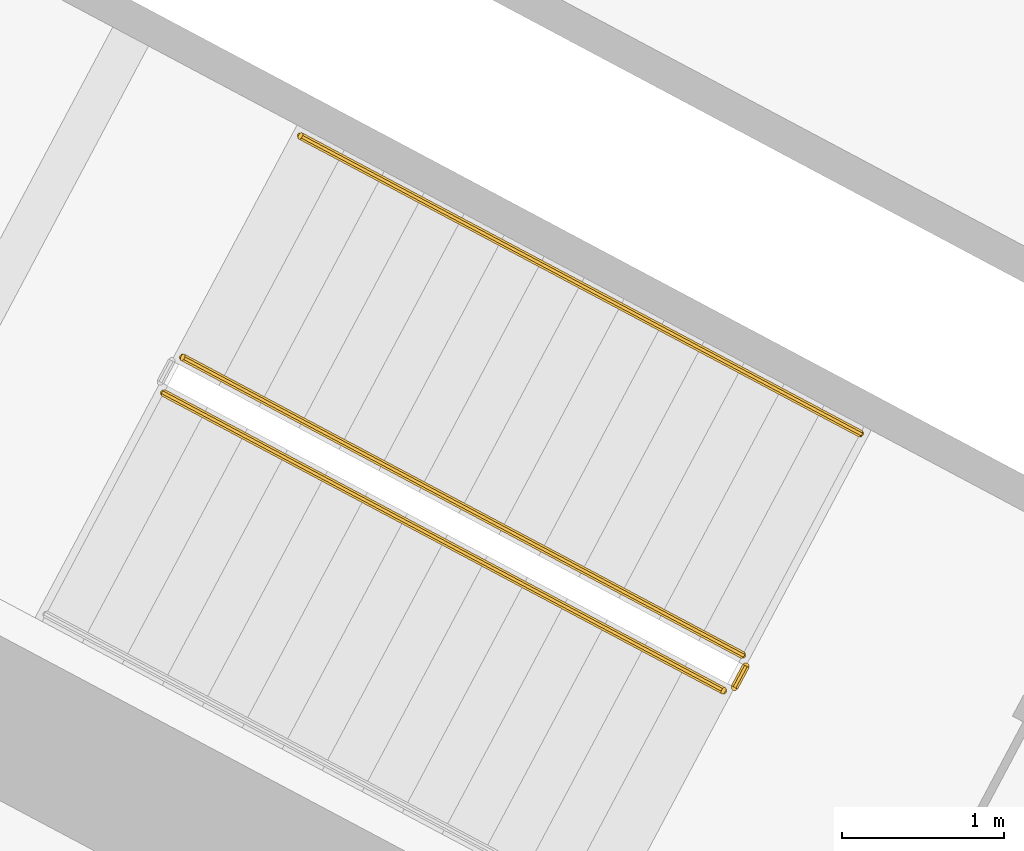
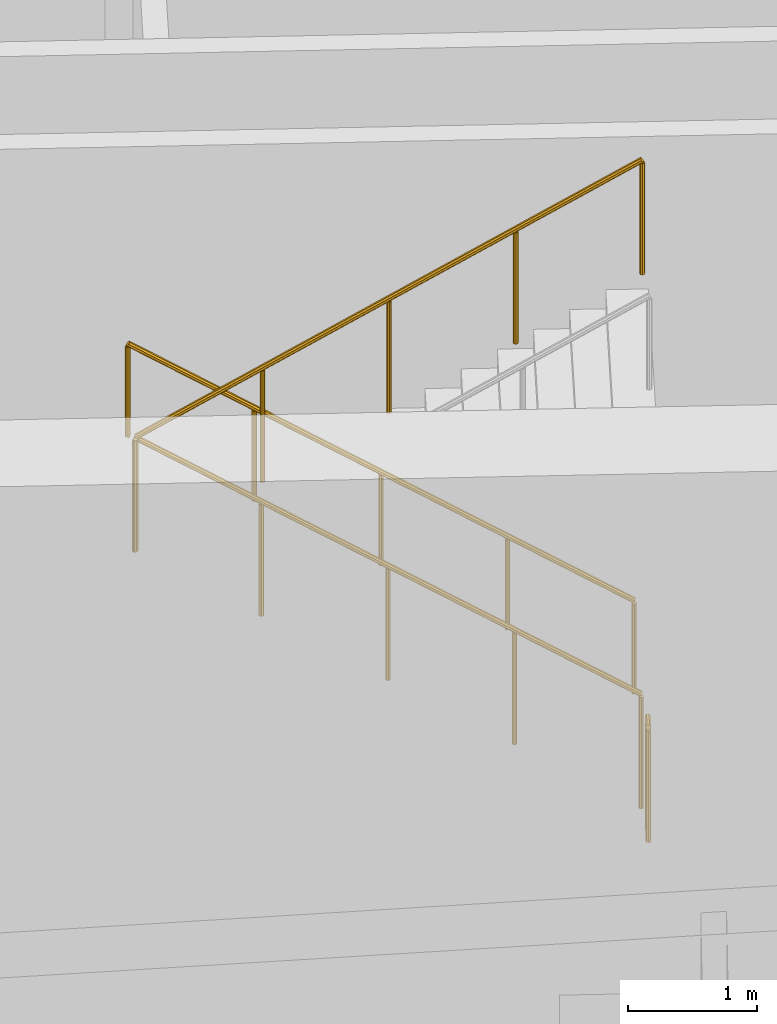
# One storey, part 23 of 31: 4 railings.
"""IFC4 building model written with IfcOpenShell, lengths in metres."""

from ifc_helpers import new_model, si_unit, direction, frame, origin, place, context, subcontext, project, spatial, polyline, outline, extrude, material, type_object, element, save


model = new_model("IFC4")

# Units and contexts
model_context = context("Model", 3, precision=1e-05, world=origin(), true_north=direction((0.0, 1.0)))
body_context = subcontext(model_context, "Body", "Model", "MODEL_VIEW")
ifc_project = project(units=[si_unit("LENGTHUNIT", "METRE"), si_unit("AREAUNIT", "SQUARE_METRE"), si_unit("VOLUMEUNIT", "CUBIC_METRE"), si_unit("PLANEANGLEUNIT", "RADIAN"), si_unit("MASSUNIT", "GRAM", prefix="KILO")], contexts=[model_context])

# Site, building, storey
site_placement = place(None, origin())
site = spatial("IfcSite", under=ifc_project, at=site_placement, CompositionType="ELEMENT")
building_placement = place(site_placement, origin())
building = spatial("IfcBuilding", under=site, at=building_placement, Name="Cormorant Relay Tower", CompositionType="ELEMENT")
storey_placement = place(building_placement, frame((0.0, 0.0, 33.800048828125)))
storey = spatial("IfcBuildingStorey", under=building, at=storey_placement, Name="L06", CompositionType="ELEMENT", Elevation=33.800048828125)

# Railings
ifc_material_1 = material(Name="Steel ASTM A572 Grade 50 (Fy 345 MPa)", Category="steel")
railing_type_1 = type_object("IfcRailingType", Name="Stair guard 1100", PredefinedType="GUARDRAIL", material=ifc_material_1)
railing_1_placement = place(storey_placement, frame((-33.9921875, 10.08935546875, 0.179931640625)))
element("IfcRailing", 1, at=railing_1_placement, inside=storey, type_object=railing_type_1, Name="L06 A2 stair guard 1", PredefinedType="GUARDRAIL", context=body_context, shape_type="SweptSolid", body=[
    extrude(outline(polyline([(0.022216796875, 0.00927734375), (0.00927734375, 0.022216796875), (-0.00927734375, 0.022216796875), (-0.022216796875, 0.00927734375), (-0.022216796875, -0.00927734375), (-0.00927734375, -0.022216796875), (0.00927734375, -0.022216796875), (0.022216796875, -0.00927734375), (0.022216796875, 0.00927734375)])), frame((0.0, 0.0, 1.076171875), z_axis=(-0.74271721126, 0.394907409077, 0.540758062681), x_axis=(-0.469469396681, -0.882948744594, 0.0)), (0.0, 0.0, 1.0), 4.66015625),
    extrude(outline(polyline([(0.019287109375, 0.008056640625), (0.008056640625, 0.019287109375), (-0.008056640625, 0.019287109375), (-0.019287109375, 0.008056640625), (-0.019287109375, -0.008056640625), (-0.008056640625, -0.019287109375), (0.008056640625, -0.019287109375), (0.019287109375, -0.008056640625), (0.019287109375, 0.008056640625)])), origin(), (0.0, 0.0, 1.0), 1.052001953125),
    extrude(outline(polyline([(0.019287109375, 0.008056640625), (0.008056640625, 0.019287109375), (-0.008056640625, 0.019287109375), (-0.019287109375, 0.008056640625), (-0.019287109375, -0.008056640625), (-0.008056640625, -0.019287109375), (0.008056640625, -0.019287109375), (0.019287109375, -0.008056640625), (0.019287109375, 0.008056640625)])), frame((-0.865234375, 0.4599609375, 0.6298828125)), (0.0, 0.0, 1.0), 1.052001953125),
    extrude(outline(polyline([(0.019287109375, 0.008056640625), (0.008056640625, 0.019287109375), (-0.008056640625, 0.019287109375), (-0.019287109375, 0.008056640625), (-0.019287109375, -0.008056640625), (-0.008056640625, -0.019287109375), (0.008056640625, -0.019287109375), (0.019287109375, -0.008056640625), (0.019287109375, 0.008056640625)])), frame((-1.73046875, 0.920166015625, 1.260009765625)), (0.0, 0.0, 1.0), 1.052001953125),
    extrude(outline(polyline([(0.019287109375, 0.008056640625), (0.008056640625, 0.019287109375), (-0.008056640625, 0.019287109375), (-0.019287109375, 0.008056640625), (-0.019287109375, -0.008056640625), (-0.008056640625, -0.019287109375), (0.008056640625, -0.019287109375), (0.019287109375, -0.008056640625), (0.019287109375, 0.008056640625)])), frame((-2.595947265625, 1.38037109375, 1.89013671875)), (0.0, 0.0, 1.0), 1.052001953125),
    extrude(outline(polyline([(0.019287109375, 0.008056640625), (0.008056640625, 0.019287109375), (-0.008056640625, 0.019287109375), (-0.019287109375, 0.008056640625), (-0.019287109375, -0.008056640625), (-0.008056640625, -0.019287109375), (0.008056640625, -0.019287109375), (0.019287109375, -0.008056640625), (0.019287109375, 0.008056640625)])), frame((-3.461181640625, 1.84033203125, 2.52001953125)), (0.0, 0.0, 1.0), 1.052001953125),
])
railing_2_placement = place(storey_placement, frame((-37.57080078125, 11.708984375, 2.8798828125)))
element("IfcRailing", 2, at=railing_2_placement, inside=storey, type_object=railing_type_1, Name="L06 A2 stair guard 3", PredefinedType="GUARDRAIL", context=body_context, shape_type="SweptSolid", body=[
    extrude(outline(polyline([(0.022216796875, 0.00927734375), (0.00927734375, 0.022216796875), (-0.00927734375, 0.022216796875), (-0.022216796875, 0.00927734375), (-0.022216796875, -0.00927734375), (-0.00927734375, -0.022216796875), (0.00927734375, -0.022216796875), (0.022216796875, -0.00927734375), (0.022216796875, 0.00927734375)])), frame((0.0, 0.0, 1.076171875), z_axis=(0.74271721126, -0.394907409077, 0.540758062681), x_axis=(0.469469396681, 0.882948744594, 0.0)), (0.0, 0.0, 1.0), 4.66015625),
    extrude(outline(polyline([(0.019287109375, 0.008056640625), (0.008056640625, 0.019287109375), (-0.008056640625, 0.019287109375), (-0.019287109375, 0.008056640625), (-0.019287109375, -0.008056640625), (-0.008056640625, -0.019287109375), (0.008056640625, -0.019287109375), (0.019287109375, -0.008056640625), (0.019287109375, 0.008056640625)])), origin(), (0.0, 0.0, 1.0), 1.052001953125),
    extrude(outline(polyline([(0.019287109375, 0.008056640625), (0.008056640625, 0.019287109375), (-0.008056640625, 0.019287109375), (-0.019287109375, 0.008056640625), (-0.019287109375, -0.008056640625), (-0.008056640625, -0.019287109375), (0.008056640625, -0.019287109375), (0.019287109375, -0.008056640625), (0.019287109375, 0.008056640625)])), frame((0.865234375, -0.4599609375, 0.6298828125)), (0.0, 0.0, 1.0), 1.052001953125),
    extrude(outline(polyline([(0.019287109375, 0.008056640625), (0.008056640625, 0.019287109375), (-0.008056640625, 0.019287109375), (-0.019287109375, 0.008056640625), (-0.019287109375, -0.008056640625), (-0.008056640625, -0.019287109375), (0.008056640625, -0.019287109375), (0.019287109375, -0.008056640625), (0.019287109375, 0.008056640625)])), frame((1.73046875, -0.920166015625, 1.260009765625)), (0.0, 0.0, 1.0), 1.052001953125),
    extrude(outline(polyline([(0.019287109375, 0.008056640625), (0.008056640625, 0.019287109375), (-0.008056640625, 0.019287109375), (-0.019287109375, 0.008056640625), (-0.019287109375, -0.008056640625), (-0.008056640625, -0.019287109375), (0.008056640625, -0.019287109375), (0.019287109375, -0.008056640625), (0.019287109375, 0.008056640625)])), frame((2.595947265625, -1.38037109375, 1.89013671875)), (0.0, 0.0, 1.0), 1.052001953125),
    extrude(outline(polyline([(0.019287109375, 0.008056640625), (0.008056640625, 0.019287109375), (-0.008056640625, 0.019287109375), (-0.019287109375, 0.008056640625), (-0.019287109375, -0.008056640625), (-0.008056640625, -0.019287109375), (0.008056640625, -0.019287109375), (0.019287109375, -0.008056640625), (0.019287109375, 0.008056640625)])), frame((3.461181640625, -1.84033203125, 2.52001953125)), (0.0, 0.0, 1.0), 1.052001953125),
])
railing_3_placement = place(storey_placement, frame((-33.971435546875, 10.021728515625, 0.0)))
element("IfcRailing", 3, at=railing_3_placement, inside=storey, type_object=railing_type_1, Name="L06 A2 stair guard 4", PredefinedType="GUARDRAIL", context=body_context, shape_type="SweptSolid", body=[
    extrude(outline(polyline([(0.022216796875, 0.00927734375), (0.00927734375, 0.022216796875), (-0.00927734375, 0.022216796875), (-0.022216796875, 0.00927734375), (-0.022216796875, -0.00927734375), (-0.00927734375, -0.022216796875), (0.00927734375, -0.022216796875), (0.022216796875, -0.00927734375), (0.022216796875, 0.00927734375)])), frame((0.0, 0.0, 1.076171875), z_axis=(-0.470503732759, -0.882398003998, 0.0), x_axis=(0.882398003998, -0.470503732759, 0.0)), (0.0, 0.0, 1.0), 0.14990234375),
    extrude(outline(polyline([(0.019287109375, 0.008056640625), (0.008056640625, 0.019287109375), (-0.008056640625, 0.019287109375), (-0.019287109375, 0.008056640625), (-0.019287109375, -0.008056640625), (-0.008056640625, -0.019287109375), (0.008056640625, -0.019287109375), (0.019287109375, -0.008056640625), (0.019287109375, 0.008056640625)])), origin(), (0.0, 0.0, 1.0), 1.052001953125),
    extrude(outline(polyline([(0.019287109375, 0.008056640625), (0.008056640625, 0.019287109375), (-0.008056640625, 0.019287109375), (-0.019287109375, 0.008056640625), (-0.019287109375, -0.008056640625), (-0.008056640625, -0.019287109375), (0.008056640625, -0.019287109375), (0.019287109375, -0.008056640625), (0.019287109375, 0.008056640625)])), frame((-0.070556640625, -0.13232421875, 0.0)), (0.0, 0.0, 1.0), 1.052001953125),
])
ifc_material_2 = material(Name="Steel ASTM A572 Grade 50 (Fy 345 MPa)", Category="steel")
railing_type_2 = type_object("IfcRailingType", Name="Stair handrail 900", PredefinedType="HANDRAIL", material=ifc_material_2)
railing_4_placement = place(storey_placement, frame((-33.264404296875, 11.4580078125, 0.179931640625)))
element("IfcRailing", 4, at=railing_4_placement, inside=storey, type_object=railing_type_2, Name="L06 A2 stair handrail 1", PredefinedType="HANDRAIL", context=body_context, shape_type="SweptSolid", body=[
    extrude(outline(polyline([(0.022216796875, 0.00927734375), (0.00927734375, 0.022216796875), (-0.00927734375, 0.022216796875), (-0.022216796875, 0.00927734375), (-0.022216796875, -0.00927734375), (-0.00927734375, -0.022216796875), (0.00927734375, -0.022216796875), (0.022216796875, -0.00927734375), (0.022216796875, 0.00927734375)])), frame((0.0, 0.0, 0.8759765625), z_axis=(-0.74271721126, 0.394907409077, 0.540758062681), x_axis=(-0.469469396681, -0.882948744594, 0.0)), (0.0, 0.0, 1.0), 4.66015625),
    extrude(outline(polyline([(0.019287109375, 0.008056640625), (0.008056640625, 0.019287109375), (-0.008056640625, 0.019287109375), (-0.019287109375, 0.008056640625), (-0.019287109375, -0.008056640625), (-0.008056640625, -0.019287109375), (0.008056640625, -0.019287109375), (0.019287109375, -0.008056640625), (0.019287109375, 0.008056640625)])), origin(), (0.0, 0.0, 1.0), 0.851806640625),
    extrude(outline(polyline([(0.019287109375, 0.008056640625), (0.008056640625, 0.019287109375), (-0.008056640625, 0.019287109375), (-0.019287109375, 0.008056640625), (-0.019287109375, -0.008056640625), (-0.008056640625, -0.019287109375), (0.008056640625, -0.019287109375), (0.019287109375, -0.008056640625), (0.019287109375, 0.008056640625)])), frame((-0.865234375, 0.4599609375, 0.6298828125)), (0.0, 0.0, 1.0), 0.851806640625),
    extrude(outline(polyline([(0.019287109375, 0.008056640625), (0.008056640625, 0.019287109375), (-0.008056640625, 0.019287109375), (-0.019287109375, 0.008056640625), (-0.019287109375, -0.008056640625), (-0.008056640625, -0.019287109375), (0.008056640625, -0.019287109375), (0.019287109375, -0.008056640625), (0.019287109375, 0.008056640625)])), frame((-1.73046875, 0.920166015625, 1.260009765625)), (0.0, 0.0, 1.0), 0.851806640625),
    extrude(outline(polyline([(0.019287109375, 0.008056640625), (0.008056640625, 0.019287109375), (-0.008056640625, 0.019287109375), (-0.019287109375, 0.008056640625), (-0.019287109375, -0.008056640625), (-0.008056640625, -0.019287109375), (0.008056640625, -0.019287109375), (0.019287109375, -0.008056640625), (0.019287109375, 0.008056640625)])), frame((-2.595947265625, 1.38037109375, 1.89013671875)), (0.0, 0.0, 1.0), 0.851806640625),
    extrude(outline(polyline([(0.019287109375, 0.008056640625), (0.008056640625, 0.019287109375), (-0.008056640625, 0.019287109375), (-0.019287109375, 0.008056640625), (-0.019287109375, -0.008056640625), (-0.008056640625, -0.019287109375), (0.008056640625, -0.019287109375), (0.019287109375, -0.008056640625), (0.019287109375, 0.008056640625)])), frame((-3.461181640625, 1.84033203125, 2.52001953125)), (0.0, 0.0, 1.0), 0.851806640625),
])

save(model, "model.ifc")
